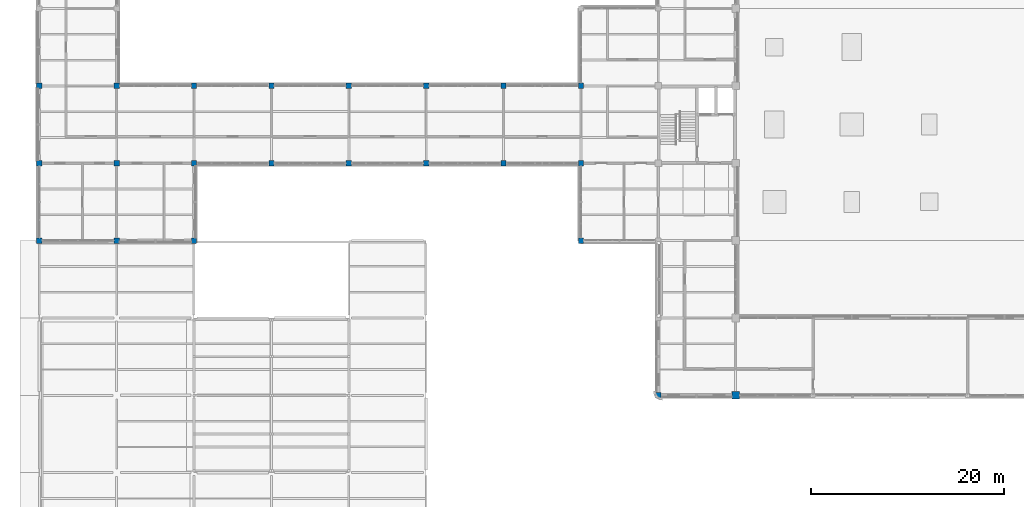
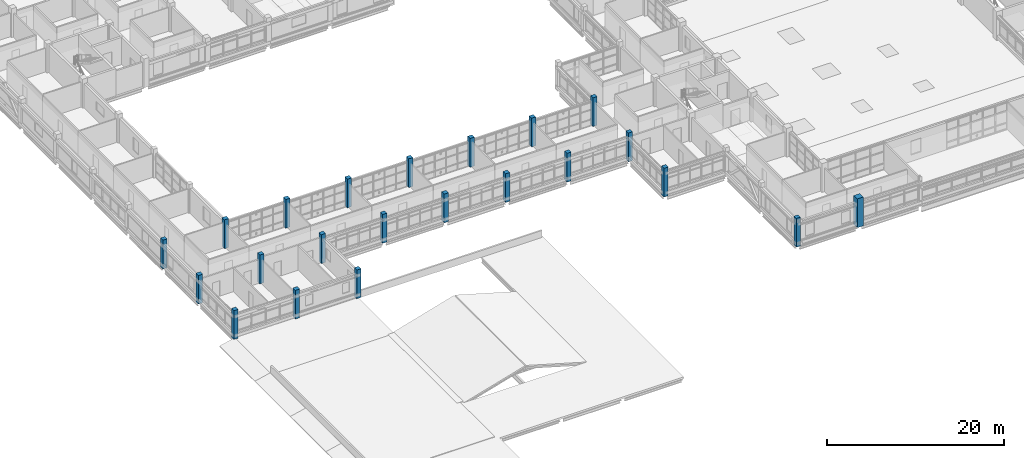
# One storey, part 1 of 107: 22 columns.
"""IFC4 building model written with IfcOpenShell, lengths in metres."""

from ifc_helpers import new_model, si_unit, derived_unit, direction, frame, origin, origin_2d, place, context, subcontext, project, spatial, rectangle, extrude, material, material_profile, profile_set, type_object, element, save


model = new_model("IFC4")

# Units and contexts
model_context = context("Model", 3, precision=1e-05, world=origin(), true_north=direction((0.0, 1.0)))
body_context = subcontext(model_context, "Body", "Model", "MODEL_VIEW")
ifc_project = project(units=[si_unit("LENGTHUNIT", "METRE"), si_unit("AREAUNIT", "SQUARE_METRE"), si_unit("VOLUMEUNIT", "CUBIC_METRE"), si_unit("PLANEANGLEUNIT", "RADIAN"), si_unit("MASSUNIT", "GRAM", prefix="KILO"), derived_unit("THERMALTRANSMITTANCEUNIT", [(si_unit("MASSUNIT", "GRAM", prefix="KILO"), 1), (si_unit("TIMEUNIT", "SECOND"), -3), (si_unit("THERMODYNAMICTEMPERATUREUNIT", "KELVIN"), -1)])], contexts=[model_context])

# Site, building, storey
site_placement = place(None, origin())
site = spatial("IfcSite", under=ifc_project, at=site_placement, CompositionType="ELEMENT")
building_placement = place(site_placement, origin())
building = spatial("IfcBuilding", under=site, at=building_placement, Name="Veyamyaing Civic Hall", CompositionType="ELEMENT")
storey_placement = place(building_placement, frame((0.0, 0.0, 13.860107421875)))
storey = spatial("IfcBuildingStorey", under=building, at=storey_placement, Name="L03", CompositionType="ELEMENT", Elevation=13.860107421875)

# Columns
ifc_material = material(Name="Concrete C45/55", Category="concrete")
ifc_material_profile_1 = material_profile(ifc_material, rectangle(XDim=0.800048828125, YDim=0.800048828125, at=origin_2d()), Name="RC-COL-800X800")
ifc_profile_set_1 = profile_set([ifc_material_profile_1], Name="Concrete C45/55")
column_type_1 = type_object("IfcColumnType", Name="C-02", PredefinedType="COLUMN", material=ifc_profile_set_1)
column_placement = place(storey_placement, frame((72.0, 24.0, 0.0), z_axis=(0.0, 0.0, 1.0), x_axis=(1.0, 0.0, 0.0)))
element("IfcColumn", 1, at=column_placement, inside=storey, type_object=column_type_1, Name="Column C-02 10-D L03", PredefinedType="COLUMN", context=body_context, shape_type="SweptSolid", body=[
    extrude(rectangle(XDim=0.800048828125, YDim=0.800048828125, at=origin_2d()), origin(), (0.0, 0.0, 1.0), 3.9599609375),
])
ifc_material_profile_2 = material_profile(ifc_material, rectangle(XDim=0.550048828125, YDim=0.550048828125, at=origin_2d()), Name="RC-COL-550X550")
ifc_profile_set_2 = profile_set([ifc_material_profile_2], Name="Concrete C45/55")
column_type_2 = type_object("IfcColumnType", Name="C-07", PredefinedType="COLUMN", material=ifc_profile_set_2)
for number, where, z_axis, x_axis, name in (
    (2, (0.0, 40.0, 0.0), (0.0, 0.0, 1.0), (1.0, 0.0, 0.0), "Column C-07 1-F L03"),
    (3, (0.0, 48.0, 0.0), (0.0, 0.0, 1.0), (1.0, 0.0, 0.0), "Column C-07 1-G L03"),
    (4, (0.0, 56.0, 0.0), (0.0, 0.0, 1.0), (1.0, 0.0, 0.0), "Column C-07 1-H L03"),
    (5, (8.0, 40.0, 0.0), (0.0, 0.0, 1.0), (1.0, 0.0, 0.0), "Column C-07 2-F L03"),
    (6, (8.0, 48.0, 0.0), (0.0, 0.0, 1.0), (1.0, 0.0, 0.0), "Column C-07 2-G L03"),
    (7, (8.0, 56.0, 0.0), (0.0, 0.0, 1.0), (1.0, 0.0, 0.0), "Column C-07 2-H L03"),
    (8, (16.0, 40.0, 0.0), (0.0, 0.0, 1.0), (1.0, 0.0, 0.0), "Column C-07 3-F L03"),
    (9, (16.0, 48.0, 0.0), (0.0, 0.0, 1.0), (1.0, 0.0, 0.0), "Column C-07 3-G L03"),
    (10, (16.0, 56.0, 0.0), (0.0, 0.0, 1.0), (1.0, 0.0, 0.0), "Column C-07 3-H L03"),
    (11, (24.0, 48.0, 0.0), (0.0, 0.0, 1.0), (1.0, 0.0, 0.0), "Column C-07 4-G L03"),
    (12, (24.0, 56.0, 0.0), (0.0, 0.0, 1.0), (1.0, 0.0, 0.0), "Column C-07 4-H L03"),
    (13, (32.0, 48.0, 0.0), (0.0, 0.0, 1.0), (1.0, 0.0, 0.0), "Column C-07 5-G L03"),
    (14, (32.0, 56.0, 0.0), (0.0, 0.0, 1.0), (1.0, 0.0, 0.0), "Column C-07 5-H L03"),
    (15, (40.0, 48.0, 0.0), (0.0, 0.0, 1.0), (1.0, 0.0, 0.0), "Column C-07 6-G L03"),
    (16, (40.0, 56.0, 0.0), (0.0, 0.0, 1.0), (1.0, 0.0, 0.0), "Column C-07 6-H L03"),
    (17, (48.0, 48.0, 0.0), (0.0, 0.0, 1.0), (1.0, 0.0, 0.0), "Column C-07 7-G L03"),
    (18, (48.0, 56.0, 0.0), (0.0, 0.0, 1.0), (1.0, 0.0, 0.0), "Column C-07 7-H L03"),
    (19, (56.0, 40.0, 0.0), (0.0, 0.0, 1.0), (1.0, 0.0, 0.0), "Column C-07 8-F L03"),
    (20, (56.0, 48.0, 0.0), (0.0, 0.0, 1.0), (1.0, 0.0, 0.0), "Column C-07 8-G L03"),
    (21, (56.0, 56.0, 0.0), (0.0, 0.0, 1.0), (1.0, 0.0, 0.0), "Column C-07 8-H L03"),
    (22, (64.0, 24.0, 0.0), (0.0, 0.0, 1.0), (1.0, 0.0, 0.0), "Column C-07 9-D L03"),
):
    element("IfcColumn", number, at=place(storey_placement, frame(where, z_axis=z_axis, x_axis=x_axis)), inside=storey, type_object=column_type_2, Name=name, PredefinedType="COLUMN", context=body_context, shape_type="SweptSolid", body=[
        extrude(rectangle(XDim=0.550048828125, YDim=0.550048828125, at=origin_2d()), origin(), (0.0, 0.0, 1.0), 3.9599609375),
    ])

save(model, "model.ifc")
